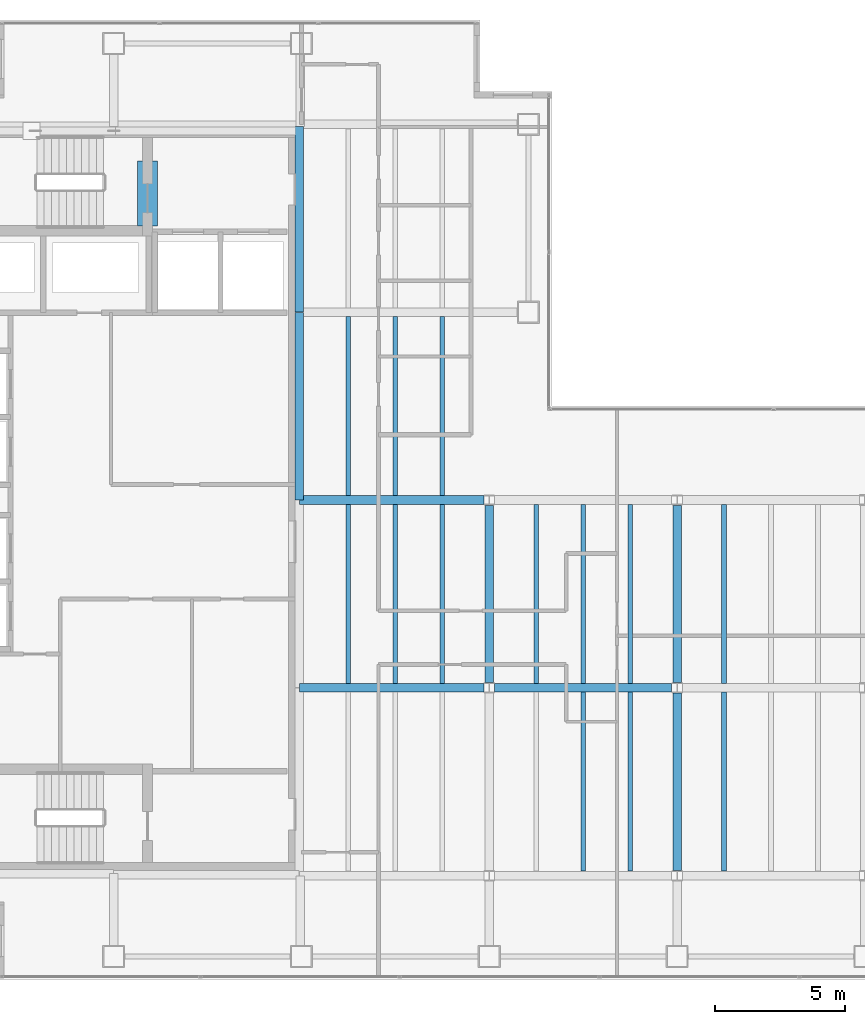
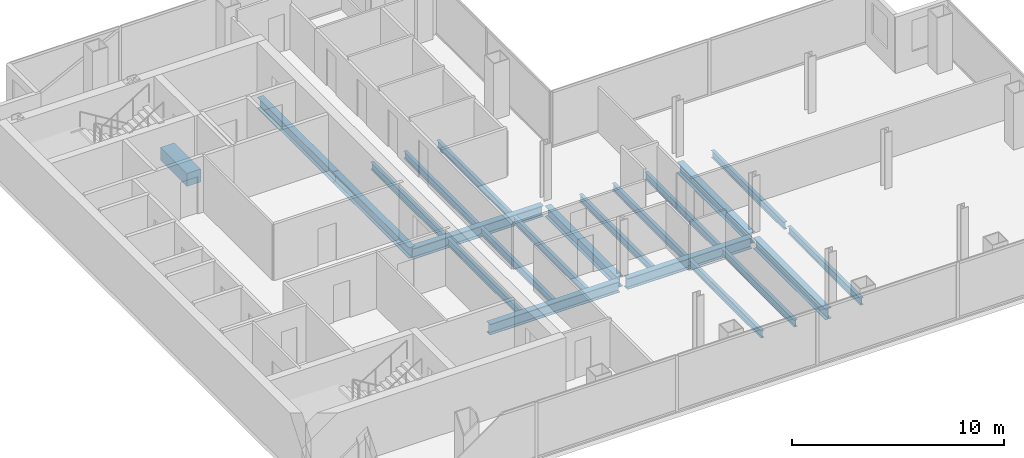
# One storey, part 7 of 23: 22 beams.
"""IFC4 building model written with IfcOpenShell, lengths in metres."""

from ifc_helpers import new_model, si_unit, direction, frame, origin, origin_2d, place, context, subcontext, project, spatial, rectangle, i_section, extrude, material, material_profile, profile_set, type_object, element, save


model = new_model("IFC4")

# Units and contexts
model_context = context("Model", 3, precision=1e-05, world=origin(), true_north=direction((0.0, 1.0)))
body_context = subcontext(model_context, "Body", "Model", "MODEL_VIEW")
ifc_project = project(units=[si_unit("LENGTHUNIT", "METRE"), si_unit("AREAUNIT", "SQUARE_METRE"), si_unit("VOLUMEUNIT", "CUBIC_METRE"), si_unit("PLANEANGLEUNIT", "RADIAN"), si_unit("MASSUNIT", "GRAM", prefix="KILO")], contexts=[model_context])

# Site, building, storey
site_placement = place(None, origin())
site = spatial("IfcSite", under=ifc_project, at=site_placement, CompositionType="ELEMENT")
building_placement = place(site_placement, origin())
building = spatial("IfcBuilding", under=site, at=building_placement, Name="Cobrela Telecom Tower", CompositionType="ELEMENT")
storey_placement = place(building_placement, frame((0.0, 0.0, 183.75)))
storey = spatial("IfcBuildingStorey", under=building, at=storey_placement, Name="L46", CompositionType="ELEMENT", Elevation=183.75)

# Beams
ifc_material_1 = material(Name="Concrete C40/50", Category="concrete")
ifc_material_profile_1 = material_profile(ifc_material_1, rectangle(XDim=0.75, YDim=0.75, at=origin_2d()), Name="RC 750x750")
ifc_profile_set_1 = profile_set([ifc_material_profile_1], Name="Concrete C40/50")
beam_type_1 = type_object("IfcBeamType", Name="BM-COUP-RC", PredefinedType="LINTEL", material=ifc_profile_set_1)
beam_1_placement = place(storey_placement, frame((8.5, 32.10009765625, -0.610107421875), z_axis=(0.0, 1.0, 0.0), x_axis=(-1.0, 0.0, 0.0)))
element("IfcBeam", 1, at=beam_1_placement, inside=storey, type_object=beam_type_1, Name="L46 Core Coupling Lintel Beam", PredefinedType="LINTEL", context=body_context, shape_type="SweptSolid", body=[
    extrude(rectangle(XDim=0.75, YDim=0.75, at=origin_2d()), origin(), (0.0, 0.0, 1.0), 2.5),
])
ifc_material_2 = material(Name="Steel ASTM A992 Grade 50", Category="steel")
ifc_material_profile_2 = material_profile(ifc_material_2, i_section(OverallWidth=0.327880859375, OverallDepth=0.6220703125, WebThickness=0.015380859375, FlangeThickness=0.0244140625, FilletRadius=0.014892578125, at=origin_2d()), Name="W24X131")
ifc_profile_set_2 = profile_set([ifc_material_profile_2], Name="Steel ASTM A992 Grade 50")
beam_type_2 = type_object("IfcBeamType", Name="BM-GIRD-06", PredefinedType="USERDEFINED", material=ifc_profile_set_2)
beam_2_placement = place(storey_placement, frame((14.324951171875, 14.39990234375, -0.571044921875), z_axis=(1.0, 0.0, 0.0), x_axis=(0.0, 1.0, 0.0)))
element("IfcBeam", 2, at=beam_2_placement, inside=storey, type_object=beam_type_2, Name="L46 Primary Girder X11", ObjectType="GIRDER", PredefinedType="USERDEFINED", context=body_context, shape_type="SweptSolid", body=[
    extrude(i_section(OverallWidth=0.327880859375, OverallDepth=0.6220703125, WebThickness=0.015380859375, FlangeThickness=0.0244140625, FilletRadius=0.014892578125, at=origin_2d()), origin(), (0.0, 0.0, 1.0), 7.070556640625),
])
beam_3_placement = place(storey_placement, frame((21.804443359375, 14.39990234375, -0.571044921875), z_axis=(1.0, 0.0, 0.0), x_axis=(0.0, 1.0, 0.0)))
element("IfcBeam", 3, at=beam_3_placement, inside=storey, type_object=beam_type_2, Name="L46 Primary Girder X12", ObjectType="GIRDER", PredefinedType="USERDEFINED", context=body_context, shape_type="SweptSolid", body=[
    extrude(i_section(OverallWidth=0.327880859375, OverallDepth=0.6220703125, WebThickness=0.015380859375, FlangeThickness=0.0244140625, FilletRadius=0.014892578125, at=origin_2d()), origin(), (0.0, 0.0, 1.0), 6.791015625),
])
beam_4_placement = place(storey_placement, frame((14.324951171875, 21.60009765625, -0.571044921875), z_axis=(1.0, 0.0, 0.0), x_axis=(0.0, 1.0, 0.0)))
element("IfcBeam", 4, at=beam_4_placement, inside=storey, type_object=beam_type_2, Name="L46 Primary Girder X15", ObjectType="GIRDER", PredefinedType="USERDEFINED", context=body_context, shape_type="SweptSolid", body=[
    extrude(i_section(OverallWidth=0.327880859375, OverallDepth=0.6220703125, WebThickness=0.015380859375, FlangeThickness=0.0244140625, FilletRadius=0.014892578125, at=origin_2d()), origin(), (0.0, 0.0, 1.0), 7.070556640625),
])
beam_5_placement = place(storey_placement, frame((14.320068359375, 21.60498046875, -0.571044921875), z_axis=(0.0, 1.0, 0.0), x_axis=(-1.0, 0.0, 0.0)))
element("IfcBeam", 5, at=beam_5_placement, inside=storey, type_object=beam_type_2, Name="L46 Primary Girder Y29", ObjectType="GIRDER", PredefinedType="USERDEFINED", context=body_context, shape_type="SweptSolid", body=[
    extrude(i_section(OverallWidth=0.327880859375, OverallDepth=0.6220703125, WebThickness=0.015380859375, FlangeThickness=0.0244140625, FilletRadius=0.014892578125, at=origin_2d()), origin(), (0.0, 0.0, 1.0), 7.18994140625),
])
beam_6_placement = place(storey_placement, frame((14.320068359375, 28.804931640625, -0.571044921875), z_axis=(0.0, 1.0, 0.0), x_axis=(-1.0, 0.0, 0.0)))
element("IfcBeam", 6, at=beam_6_placement, inside=storey, type_object=beam_type_2, Name="L46 Primary Girder Y30", ObjectType="GIRDER", PredefinedType="USERDEFINED", context=body_context, shape_type="SweptSolid", body=[
    extrude(i_section(OverallWidth=0.327880859375, OverallDepth=0.6220703125, WebThickness=0.015380859375, FlangeThickness=0.0244140625, FilletRadius=0.014892578125, at=origin_2d()), origin(), (0.0, 0.0, 1.0), 7.110107421875),
])
for number, where, z_axis, x_axis, name in (
    (7, (21.60009765625, 14.6044921875, -0.571044921875), (0.0, 1.0, 0.0), (-1.0, 0.0, 0.0), "L46 Primary Girder Y34"),
    (8, (28.800048828125, 7.404541015625, -0.571044921875), (0.0, 1.0, 0.0), (-1.0, 0.0, 0.0), "L46 Primary Girder Y37"),
    (9, (28.800048828125, 14.6044921875, -0.571044921875), (0.0, 1.0, 0.0), (-1.0, 0.0, 0.0), "L46 Primary Girder Y38"),
):
    element("IfcBeam", number, at=place(storey_placement, frame(where, z_axis=z_axis, x_axis=x_axis)), inside=storey, type_object=beam_type_2, Name=name, ObjectType="GIRDER", PredefinedType="USERDEFINED", context=body_context, shape_type="SweptSolid", body=[
        extrude(i_section(OverallWidth=0.327880859375, OverallDepth=0.6220703125, WebThickness=0.015380859375, FlangeThickness=0.0244140625, FilletRadius=0.014892578125, at=origin_2d()), origin(), (0.0, 0.0, 1.0), 6.791015625),
    ])
ifc_material_profile_3 = material_profile(ifc_material_2, i_section(OverallWidth=0.179931640625, OverallDepth=0.4169921875, WebThickness=0.010986328125, FlangeThickness=0.01806640625, FilletRadius=0.011962890625, at=origin_2d()), Name="W16X57")
ifc_profile_set_3 = profile_set([ifc_material_profile_3], Name="Steel ASTM A992 Grade 50")
beam_type_3 = type_object("IfcBeamType", Name="BM-JOIST-04", PredefinedType="JOIST", material=ifc_profile_set_3)
beam_7_placement = place(storey_placement, frame((16.199951171875, 14.569091796875, -0.468505859375), z_axis=(0.0, 1.0, 0.0), x_axis=(-1.0, 0.0, 0.0)))
element("IfcBeam", 10, at=beam_7_placement, inside=storey, type_object=beam_type_3, Name="L46 Secondary Composite Floor Beam J02", PredefinedType="JOIST", context=body_context, shape_type="SweptSolid", body=[
    extrude(i_section(OverallWidth=0.179931640625, OverallDepth=0.4169921875, WebThickness=0.010986328125, FlangeThickness=0.01806640625, FilletRadius=0.011962890625, at=origin_2d()), origin(), (0.0, 0.0, 1.0), 6.86181640625),
])
beam_8_placement = place(storey_placement, frame((16.199951171875, 21.76904296875, -0.468505859375), z_axis=(0.0, 1.0, 0.0), x_axis=(-1.0, 0.0, 0.0)))
element("IfcBeam", 11, at=beam_8_placement, inside=storey, type_object=beam_type_3, Name="L46 Secondary Composite Floor Beam J03", PredefinedType="JOIST", context=body_context, shape_type="SweptSolid", body=[
    extrude(i_section(OverallWidth=0.179931640625, OverallDepth=0.4169921875, WebThickness=0.010986328125, FlangeThickness=0.01806640625, FilletRadius=0.011962890625, at=origin_2d()), origin(), (0.0, 0.0, 1.0), 6.862060546875),
])
beam_9_placement = place(storey_placement, frame((18.0, 14.569091796875, -0.468505859375), z_axis=(0.0, 1.0, 0.0), x_axis=(-1.0, 0.0, 0.0)))
element("IfcBeam", 12, at=beam_9_placement, inside=storey, type_object=beam_type_3, Name="L46 Secondary Composite Floor Beam J06", PredefinedType="JOIST", context=body_context, shape_type="SweptSolid", body=[
    extrude(i_section(OverallWidth=0.179931640625, OverallDepth=0.4169921875, WebThickness=0.010986328125, FlangeThickness=0.01806640625, FilletRadius=0.011962890625, at=origin_2d()), origin(), (0.0, 0.0, 1.0), 6.86181640625),
])
beam_10_placement = place(storey_placement, frame((18.0, 21.76904296875, -0.468505859375), z_axis=(0.0, 1.0, 0.0), x_axis=(-1.0, 0.0, 0.0)))
element("IfcBeam", 13, at=beam_10_placement, inside=storey, type_object=beam_type_3, Name="L46 Secondary Composite Floor Beam J07", PredefinedType="JOIST", context=body_context, shape_type="SweptSolid", body=[
    extrude(i_section(OverallWidth=0.179931640625, OverallDepth=0.4169921875, WebThickness=0.010986328125, FlangeThickness=0.01806640625, FilletRadius=0.011962890625, at=origin_2d()), origin(), (0.0, 0.0, 1.0), 6.862060546875),
])
beam_11_placement = place(storey_placement, frame((19.800048828125, 14.569091796875, -0.468505859375), z_axis=(0.0, 1.0, 0.0), x_axis=(-1.0, 0.0, 0.0)))
element("IfcBeam", 14, at=beam_11_placement, inside=storey, type_object=beam_type_3, Name="L46 Secondary Composite Floor Beam J10", PredefinedType="JOIST", context=body_context, shape_type="SweptSolid", body=[
    extrude(i_section(OverallWidth=0.179931640625, OverallDepth=0.4169921875, WebThickness=0.010986328125, FlangeThickness=0.01806640625, FilletRadius=0.011962890625, at=origin_2d()), origin(), (0.0, 0.0, 1.0), 6.86181640625),
])
beam_12_placement = place(storey_placement, frame((19.800048828125, 21.76904296875, -0.468505859375), z_axis=(0.0, 1.0, 0.0), x_axis=(-1.0, 0.0, 0.0)))
element("IfcBeam", 15, at=beam_12_placement, inside=storey, type_object=beam_type_3, Name="L46 Secondary Composite Floor Beam J11", PredefinedType="JOIST", context=body_context, shape_type="SweptSolid", body=[
    extrude(i_section(OverallWidth=0.179931640625, OverallDepth=0.4169921875, WebThickness=0.010986328125, FlangeThickness=0.01806640625, FilletRadius=0.011962890625, at=origin_2d()), origin(), (0.0, 0.0, 1.0), 6.862060546875),
])
beam_13_placement = place(storey_placement, frame((23.39990234375, 14.569091796875, -0.468505859375), z_axis=(0.0, 1.0, 0.0), x_axis=(-1.0, 0.0, 0.0)))
element("IfcBeam", 16, at=beam_13_placement, inside=storey, type_object=beam_type_3, Name="L46 Secondary Composite Floor Beam J14", PredefinedType="JOIST", context=body_context, shape_type="SweptSolid", body=[
    extrude(i_section(OverallWidth=0.179931640625, OverallDepth=0.4169921875, WebThickness=0.010986328125, FlangeThickness=0.01806640625, FilletRadius=0.011962890625, at=origin_2d()), origin(), (0.0, 0.0, 1.0), 6.86181640625),
])
beam_14_placement = place(storey_placement, frame((25.199951171875, 7.368896484375, -0.468505859375), z_axis=(0.0, 1.0, 0.0), x_axis=(-1.0, 0.0, 0.0)))
element("IfcBeam", 17, at=beam_14_placement, inside=storey, type_object=beam_type_3, Name="L46 Secondary Composite Floor Beam J15", PredefinedType="JOIST", context=body_context, shape_type="SweptSolid", body=[
    extrude(i_section(OverallWidth=0.179931640625, OverallDepth=0.4169921875, WebThickness=0.010986328125, FlangeThickness=0.01806640625, FilletRadius=0.011962890625, at=origin_2d()), origin(), (0.0, 0.0, 1.0), 6.862060546875),
])
beam_15_placement = place(storey_placement, frame((25.199951171875, 14.569091796875, -0.468505859375), z_axis=(0.0, 1.0, 0.0), x_axis=(-1.0, 0.0, 0.0)))
element("IfcBeam", 18, at=beam_15_placement, inside=storey, type_object=beam_type_3, Name="L46 Secondary Composite Floor Beam J16", PredefinedType="JOIST", context=body_context, shape_type="SweptSolid", body=[
    extrude(i_section(OverallWidth=0.179931640625, OverallDepth=0.4169921875, WebThickness=0.010986328125, FlangeThickness=0.01806640625, FilletRadius=0.011962890625, at=origin_2d()), origin(), (0.0, 0.0, 1.0), 6.86181640625),
])
beam_16_placement = place(storey_placement, frame((27.0, 7.368896484375, -0.468505859375), z_axis=(0.0, 1.0, 0.0), x_axis=(-1.0, 0.0, 0.0)))
element("IfcBeam", 19, at=beam_16_placement, inside=storey, type_object=beam_type_3, Name="L46 Secondary Composite Floor Beam J17", PredefinedType="JOIST", context=body_context, shape_type="SweptSolid", body=[
    extrude(i_section(OverallWidth=0.179931640625, OverallDepth=0.4169921875, WebThickness=0.010986328125, FlangeThickness=0.01806640625, FilletRadius=0.011962890625, at=origin_2d()), origin(), (0.0, 0.0, 1.0), 6.862060546875),
])
beam_17_placement = place(storey_placement, frame((27.0, 14.569091796875, -0.468505859375), z_axis=(0.0, 1.0, 0.0), x_axis=(-1.0, 0.0, 0.0)))
element("IfcBeam", 20, at=beam_17_placement, inside=storey, type_object=beam_type_3, Name="L46 Secondary Composite Floor Beam J18", PredefinedType="JOIST", context=body_context, shape_type="SweptSolid", body=[
    extrude(i_section(OverallWidth=0.179931640625, OverallDepth=0.4169921875, WebThickness=0.010986328125, FlangeThickness=0.01806640625, FilletRadius=0.011962890625, at=origin_2d()), origin(), (0.0, 0.0, 1.0), 6.86181640625),
])
beam_18_placement = place(storey_placement, frame((30.60009765625, 7.368896484375, -0.468505859375), z_axis=(0.0, 1.0, 0.0), x_axis=(-1.0, 0.0, 0.0)))
element("IfcBeam", 21, at=beam_18_placement, inside=storey, type_object=beam_type_3, Name="L46 Secondary Composite Floor Beam J19", PredefinedType="JOIST", context=body_context, shape_type="SweptSolid", body=[
    extrude(i_section(OverallWidth=0.179931640625, OverallDepth=0.4169921875, WebThickness=0.010986328125, FlangeThickness=0.01806640625, FilletRadius=0.011962890625, at=origin_2d()), origin(), (0.0, 0.0, 1.0), 6.862060546875),
])
beam_19_placement = place(storey_placement, frame((30.60009765625, 14.569091796875, -0.468505859375), z_axis=(0.0, 1.0, 0.0), x_axis=(-1.0, 0.0, 0.0)))
element("IfcBeam", 22, at=beam_19_placement, inside=storey, type_object=beam_type_3, Name="L46 Secondary Composite Floor Beam J20", PredefinedType="JOIST", context=body_context, shape_type="SweptSolid", body=[
    extrude(i_section(OverallWidth=0.179931640625, OverallDepth=0.4169921875, WebThickness=0.010986328125, FlangeThickness=0.01806640625, FilletRadius=0.011962890625, at=origin_2d()), origin(), (0.0, 0.0, 1.0), 6.86181640625),
])

save(model, "model.ifc")
